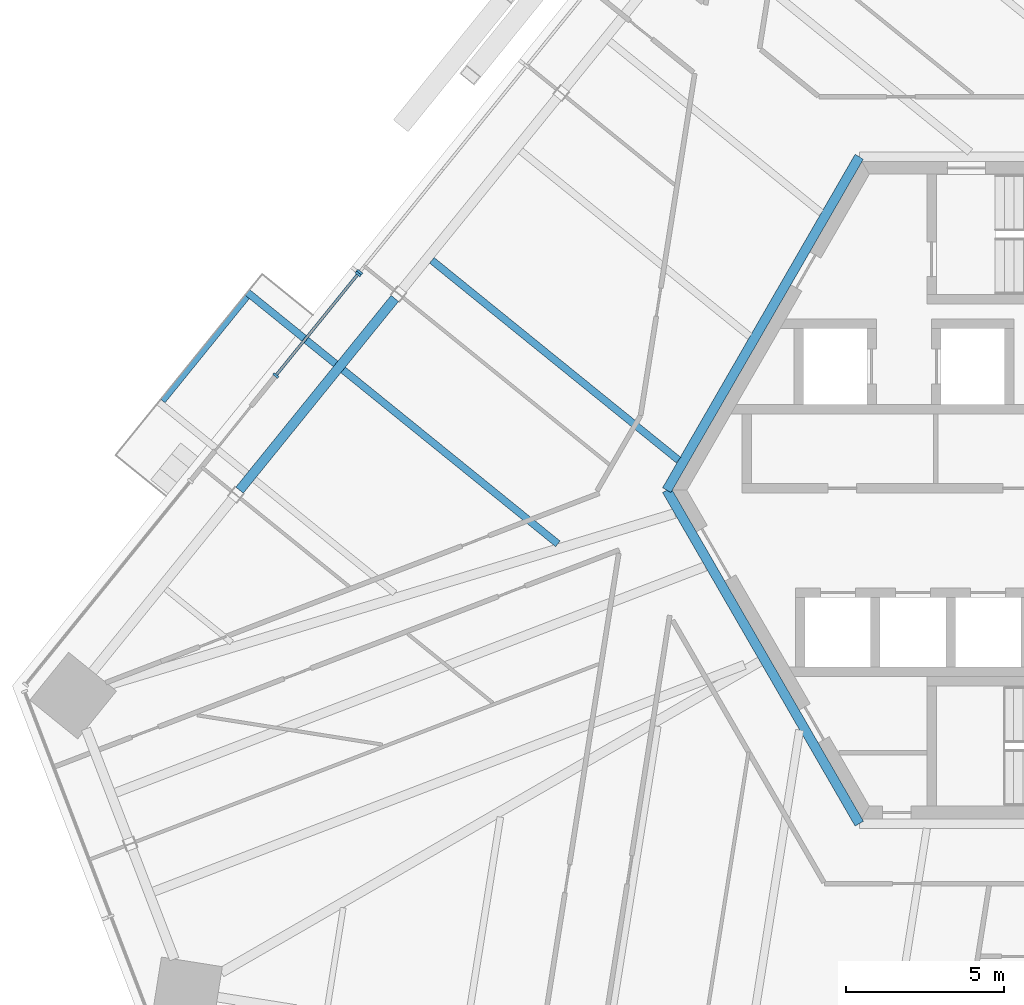
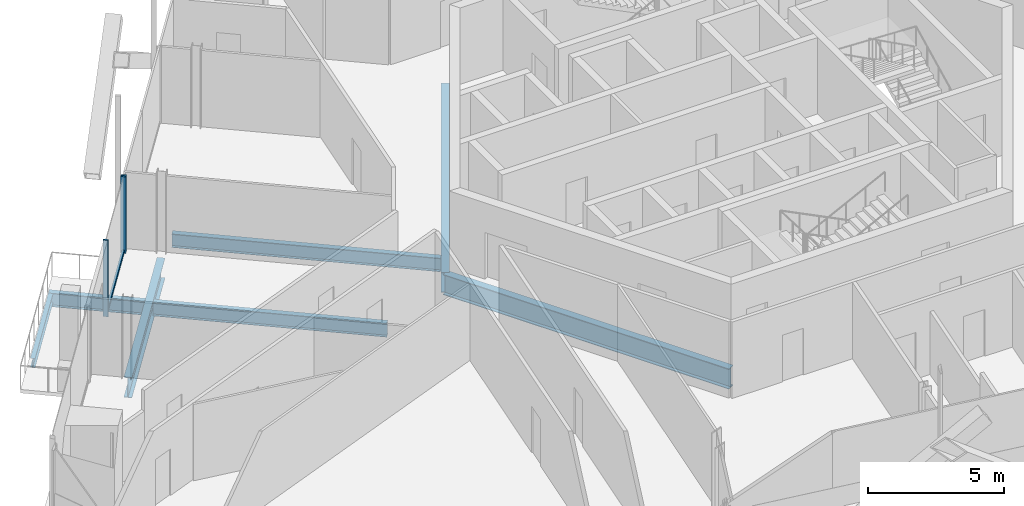
# One storey, part 5 of 22: 7 beams, 4 members, 2 elements without a shape of their own.
"""IFC4 building model written with IfcOpenShell, lengths in metres."""

import ifcopenshell
import ifcopenshell.guid

model = None  # the IFC model being written
_history = None  # IfcOwnerHistory: only IFC2X3 demands one
_inside = {}  # id of a spatial element -> (the spatial element, [elements in it])
_under = {}  # id of a project, library or spatial element -> (it, [spatial elements below it])
_declared = {}  # id of a project -> (the project, [libraries it declares])
_typed = {}  # id of a type object -> (the type object, [elements of that type])
_made_of = {}  # id of a material, layer set ... -> (it, [elements and type objects made of it])


def new_model(schema):
    """Start an empty IFC model of exactly this schema.

    Asked for "IFC4X3", IfcOpenShell would pick the latest addendum, in which some entities
    have other attributes; the version numbers below select the first issue.
    IFC2X3 requires an IfcOwnerHistory on every rooted entity: one is made here for all.
    """
    global model, _history
    if schema == "IFC4X3":
        model = ifcopenshell.file(schema_version=(4, 3, 0, 0))
    else:
        model = ifcopenshell.file(schema=schema)
    _inside.clear()
    _under.clear()
    _declared.clear()
    _typed.clear()
    _made_of.clear()
    _history = None
    if model.schema == "IFC2X3":
        org = make("IfcOrganization", Name="unknown")
        user = make(
            "IfcPersonAndOrganization",
            ThePerson=make("IfcPerson", FamilyName="unknown"),
            TheOrganization=org,
        )
        app = make(
            "IfcApplication",
            ApplicationDeveloper=org,
            Version="unknown",
            ApplicationFullName="unknown",
            ApplicationIdentifier="unknown",
        )
        _history = make(
            "IfcOwnerHistory",
            OwningUser=user,
            OwningApplication=app,
            ChangeAction="ADDED",
            CreationDate=0,
        )
    return model


def make(cls, **values):
    """One entity of the class cls with the attributes given. An attribute that is None is left unset."""
    return model.create_entity(
        cls, **{name: value for name, value in values.items() if value is not None}
    )


def rooted(cls, **values):
    """An entity with a GlobalId (a new one), such as an element, a storey or a relation."""
    return make(cls, GlobalId=ifcopenshell.guid.new(), OwnerHistory=_history, **values)


def si_unit(unit_type, name, prefix=None):
    """IfcSIUnit, for example si_unit("LENGTHUNIT", "METRE", prefix="MILLI")."""
    return make("IfcSIUnit", UnitType=unit_type, Prefix=prefix, Name=name)


def assignment(units):
    """IfcUnitAssignment: the units of a project."""
    return None if units is None else make("IfcUnitAssignment", Units=units)


def point(xyz):
    """IfcCartesianPoint."""
    return None if xyz is None else make("IfcCartesianPoint", Coordinates=xyz)


def direction(xyz):
    """IfcDirection."""
    return None if xyz is None else make("IfcDirection", DirectionRatios=xyz)


def frame(location, z_axis=None, x_axis=None):
    """IfcAxis2Placement3D, a coordinate frame: its origin and axes. An axis left out is left unset."""
    return make(
        "IfcAxis2Placement3D",
        Location=point(location),
        Axis=direction(z_axis),
        RefDirection=direction(x_axis),
    )


def frame_2d(location, x_axis=None):
    """IfcAxis2Placement2D, a coordinate frame in the plane: its origin and x axis."""
    return make(
        "IfcAxis2Placement2D", Location=point(location), RefDirection=direction(x_axis)
    )


def origin():
    """The frame at (0, 0, 0) with its axes left unset."""
    return frame((0.0, 0.0, 0.0))


def origin_2d():
    """The frame at (0, 0) in the plane with its x axis left unset."""
    return frame_2d((0.0, 0.0))


def place(relative_to, where):
    """IfcLocalPlacement: puts the frame where relative to a parent placement (None: the world)."""
    return make(
        "IfcLocalPlacement", PlacementRelTo=relative_to, RelativePlacement=where
    )


def context(
    kind, dimensions, precision=None, world=None, true_north=None, identifier=None
):
    """IfcGeometricRepresentationContext, for example the 3D "Model" context."""
    return make(
        "IfcGeometricRepresentationContext",
        ContextIdentifier=identifier,
        ContextType=kind,
        CoordinateSpaceDimension=dimensions,
        Precision=precision,
        WorldCoordinateSystem=world,
        TrueNorth=true_north,
    )


def subcontext(parent, identifier, kind, view, scale=None):
    """IfcGeometricRepresentationSubContext, for example "Body" below "Model"."""
    return make(
        "IfcGeometricRepresentationSubContext",
        ContextIdentifier=identifier,
        ContextType=kind,
        ParentContext=parent,
        TargetScale=scale,
        TargetView=view,
    )


def project(units=None, contexts=None):
    """IfcProject with its units and contexts."""
    return rooted(
        "IfcProject",
        Name="project",
        RepresentationContexts=contexts,
        UnitsInContext=assignment(units),
    )


def spatial(cls, under=None, at=None, **own):
    """A site, building, storey or space (cls), placed at a placement, below another one or the project."""
    s = rooted(cls, ObjectPlacement=at, **own)
    if under is not None:
        _under.setdefault(under.id(), (under, []))[1].append(s)
    return s


def profile(cls, at=None, kind="AREA", **sizes):
    """A parametric profile (cls). Its sizes go by their IFC names, for example OverallWidth=200.0."""
    return make(cls, ProfileType=kind, Position=at, **sizes)


def rectangle(**sizes):
    """IfcRectangleProfileDef."""
    return profile("IfcRectangleProfileDef", **sizes)


def i_section(**sizes):
    """IfcIShapeProfileDef."""
    return profile("IfcIShapeProfileDef", **sizes)


def extrude(swept, where, along, depth):
    """IfcExtrudedAreaSolid: the profile swept, set in the frame where, extruded along a direction by depth."""
    return make(
        "IfcExtrudedAreaSolid",
        SweptArea=swept,
        Position=where,
        ExtrudedDirection=direction(along),
        Depth=depth,
    )


def shape(context_of_items, identifier, shape_type, items):
    """IfcShapeRepresentation: the items that make up one representation, for example the "Body"."""
    return make(
        "IfcShapeRepresentation",
        ContextOfItems=context_of_items,
        RepresentationIdentifier=identifier,
        RepresentationType=shape_type,
        Items=items,
    )


def source(mapping_origin, context_of_items, identifier, shape_type, items):
    """IfcRepresentationMap: a shape defined once, which mapped items show again and again."""
    return make(
        "IfcRepresentationMap",
        MappingOrigin=mapping_origin,
        MappedRepresentation=shape(context_of_items, identifier, shape_type, items),
    )


def transform(
    local_origin,
    x_axis=None,
    y_axis=None,
    z_axis=None,
    scale=None,
    scale2=None,
    scale3=None,
    uniform=True,
):
    """IfcCartesianTransformationOperator3D, or its non-uniform kind. x_axis, y_axis, z_axis: its Axis1, 2, 3."""
    if uniform:
        return make(
            "IfcCartesianTransformationOperator3D",
            Axis1=direction(x_axis),
            Axis2=direction(y_axis),
            LocalOrigin=point(local_origin),
            Scale=scale,
            Axis3=direction(z_axis),
        )
    return make(
        "IfcCartesianTransformationOperator3DnonUniform",
        Axis1=direction(x_axis),
        Axis2=direction(y_axis),
        LocalOrigin=point(local_origin),
        Scale=scale,
        Axis3=direction(z_axis),
        Scale2=scale2,
        Scale3=scale3,
    )


def mapped(mapping_source, mapping_target):
    """IfcMappedItem: shows the shape of a source again, moved by a transform."""
    return make(
        "IfcMappedItem", MappingSource=mapping_source, MappingTarget=mapping_target
    )


def material(Name=None, Category=None):
    """IfcMaterial."""
    return make("IfcMaterial", Name=Name, Category=Category)


def material_profile(
    of_material, cross_section, Name=None, Category=None, Priority=None
):
    """IfcMaterialProfile: a cross section and its material."""
    return make(
        "IfcMaterialProfile",
        Name=Name,
        Material=of_material,
        Profile=cross_section,
        Priority=Priority,
        Category=Category,
    )


def profile_set(profiles, Name=None, composite=None):
    """IfcMaterialProfileSet."""
    return make(
        "IfcMaterialProfileSet",
        Name=Name,
        MaterialProfiles=profiles,
        CompositeProfile=composite,
    )


def made_of(thing, what):
    """Note that an element or type object is made of a material, layer set ...; save() writes the relation."""
    if what is not None:
        _made_of.setdefault(what.id(), (what, []))[1].append(thing)
    return thing


def type_object(cls, material=None, **own):
    """A type object (cls), such as IfcWallType, which elements share."""
    return made_of(rooted(cls, **own), material)


def element(
    cls,
    number,
    at=None,
    inside=None,
    cuts=None,
    type_object=None,
    material=None,
    context=None,
    identifier="Body",
    shape_type=None,
    held_by="IfcProductDefinitionShape",
    body=None,
    shapes=None,
    **own,
):
    """One element of the class cls, such as IfcWall. Its Tag is "e" and its number.

    at: its placement. inside: the storey or other place that contains it. cuts: it is an
    opening in that element (IfcRelVoidsElement). A single representation is given by context,
    identifier, shape_type and body (its items); several are given by shapes. held_by: the class
    of the entity that holds the representations. save() writes the other relations.
    """
    e = rooted(cls, Tag="e%d" % number, ObjectPlacement=at, **own)
    if body is not None:
        shapes = [shape(context, identifier, shape_type, body)]
    if shapes is not None:
        e.Representation = make(held_by, Representations=shapes)
    if inside is not None:
        _inside.setdefault(inside.id(), (inside, []))[1].append(e)
    if cuts is not None:
        rooted(
            "IfcRelVoidsElement", RelatingBuildingElement=cuts, RelatedOpeningElement=e
        )
    if type_object is not None:
        _typed.setdefault(type_object.id(), (type_object, []))[1].append(e)
    return made_of(e, material)


def aggregate(whole, parts):
    """IfcRelAggregates: a whole, such as a stair, and the parts it consists of."""
    return rooted("IfcRelAggregates", RelatingObject=whole, RelatedObjects=parts)


def save(model, path):
    """Write the relations noted so far, then the file.

    IfcRelAggregates (storeys below a building ...), IfcRelContainedInSpatialStructure (elements
    in a storey), IfcRelDefinesByType, IfcRelAssociatesMaterial and IfcRelDeclares: one each for
    every whole, place, type object, material and project.
    """
    for whole, parts in _under.values():
        aggregate(whole, parts)
    for where, things in _inside.values():
        rooted(
            "IfcRelContainedInSpatialStructure",
            RelatedElements=things,
            RelatingStructure=where,
        )
    for kind, things in _typed.values():
        rooted("IfcRelDefinesByType", RelatedObjects=things, RelatingType=kind)
    for what, things in _made_of.values():
        rooted("IfcRelAssociatesMaterial", RelatedObjects=things, RelatingMaterial=what)
    for by, libraries in _declared.values():
        rooted("IfcRelDeclares", RelatingContext=by, RelatedDefinitions=libraries)
    model.write(path)


model = new_model("IFC4")

# Units and contexts
model_context = context("Model", 3, precision=1e-05, world=origin(), true_north=direction((0.0, 1.0)))
body_context = subcontext(model_context, "Body", "Model", "MODEL_VIEW")
ifc_project = project(units=[si_unit("LENGTHUNIT", "METRE"), si_unit("AREAUNIT", "SQUARE_METRE"), si_unit("VOLUMEUNIT", "CUBIC_METRE"), si_unit("PLANEANGLEUNIT", "RADIAN"), si_unit("MASSUNIT", "GRAM", prefix="KILO")], contexts=[model_context])

# Site, building, storey
site_placement = place(None, origin())
site = spatial("IfcSite", under=ifc_project, at=site_placement, CompositionType="ELEMENT")
building_placement = place(site_placement, origin())
building = spatial("IfcBuilding", under=site, at=building_placement, Name="Triune Harvest Tower", CompositionType="ELEMENT")
storey_placement = place(building_placement, frame((0.0, 0.0, 153.300048828125)))
storey = spatial("IfcBuildingStorey", under=building, at=storey_placement, Name="L39", CompositionType="ELEMENT", Elevation=153.300048828125)

# Curtain wall, member
ifc_material_1 = material(Name="Aluminium bronze anodised", Category="aluminium")
curtain_wall_type_1 = type_object("IfcCurtainWallType", Name="CW-6 Balcony window wall", PredefinedType="NOTDEFINED", material=ifc_material_1)
curtain_wall_1_placement = place(storey_placement, origin())
curtain_wall_1 = element("IfcCurtainWall", 1, at=curtain_wall_1_placement, inside=storey, type_object=curtain_wall_type_1, Name="CW-6 B4-F3 L39 run 2001")
ifc_material_2 = material(Name="Aluminium bronze anodised", Category="aluminium")
ifc_material_profile_1 = material_profile(ifc_material_2, rectangle(XDim=0.090087890625, YDim=0.14990234375, at=origin_2d()), Name="TR-6 transom 90 x 150")
ifc_profile_set_1 = profile_set([ifc_material_profile_1], Name="Aluminium bronze anodised")
member_type_1 = type_object("IfcMemberType", Name="TR-6 transom 90 x 150", PredefinedType="USERDEFINED", material=ifc_profile_set_1)
member_1_placement = place(storey_placement, frame((-21.958984375, 6.8095703125, 0.074951171875), z_axis=(-0.629288150528, -0.77717206821, 0.0), x_axis=(0.77717206821, -0.629288150528, 0.0)))
member_1 = element("IfcMember", 2, at=member_1_placement, type_object=member_type_1, Name="CW-6 transom B4-F3 2001.1", ObjectType="TRANSOM", PredefinedType="USERDEFINED", context=body_context, shape_type="SweptSolid", body=[
    extrude(rectangle(XDim=0.090087890625, YDim=0.14990234375, at=origin_2d()), origin(), (0.0, 0.0, 1.0), 4.061279296875),
])

# Beams
ifc_material_3 = material(Name="Steel ASTM A992 Gr 50", Category="steel")
ifc_material_profile_2 = material_profile(ifc_material_3, i_section(OverallWidth=0.3046875, OverallDepth=0.914306640625, WebThickness=0.0166015625, FlangeThickness=0.02587890625, at=origin_2d()), Name="W36x160")
ifc_profile_set_2 = profile_set([ifc_material_profile_2], Name="Steel ASTM A992 Gr 50")
beam_type_1 = type_object("IfcBeamType", Name="CG-1 Core ring girder W36x160", PredefinedType="BEAM", material=ifc_profile_set_2)
shared_shape_1 = source(origin(), body_context, "Body", "SweptSolid", [
    extrude(i_section(OverallWidth=0.3046875, OverallDepth=0.914306640625, WebThickness=0.0166015625, FlangeThickness=0.02587890625, at=origin_2d()), origin(), (0.0, 0.0, 1.0), 12.176025390625),
])
for number, where, z_axis, x_axis, name in (
    (3, (-6.087890625, 10.544677734375, -0.6171875), (-0.5000099932, -0.866019634131, 0.0), (0.866019634131, -0.5000099932, 0.0), "beam/L39/CG3"),
    (4, (-12.176025390625, 0.0, -0.6171875), (0.5000099932, -0.866019634131, 0.0), (0.866019634131, 0.5000099932, 0.0), "beam/L39/CG4"),
):
    element("IfcBeam", number, at=place(storey_placement, frame(where, z_axis=z_axis, x_axis=x_axis)), inside=storey, type_object=beam_type_1, Name=name, PredefinedType="BEAM", context=body_context, shape_type="MappedRepresentation", body=[
        mapped(shared_shape_1, transform((0.0, 0.0, 0.0), scale=1.0)),
    ])
ifc_material_4 = material(Name="Steel ASTM A992 Gr 50", Category="steel")
ifc_material_profile_3 = material_profile(ifc_material_4, i_section(OverallWidth=0.3046875, OverallDepth=0.914306640625, WebThickness=0.0166015625, FlangeThickness=0.02587890625, at=origin_2d()), Name="W36x160")
ifc_profile_set_3 = profile_set([ifc_material_profile_3], Name="Steel ASTM A992 Gr 50")
beam_type_2 = type_object("IfcBeamType", Name="SB-1 Spandrel beam W36x160", PredefinedType="SPANDREL", material=ifc_profile_set_3)
shared_shape_2 = source(origin(), body_context, "Body", "SweptSolid", [
    extrude(i_section(OverallWidth=0.3046875, OverallDepth=0.914306640625, WebThickness=0.0166015625, FlangeThickness=0.02587890625, at=origin_2d()), origin(), (0.0, 0.0, 1.0), 7.8017578125),
])
beam_1_placement = place(storey_placement, frame((-20.775390625, 6.064208984375, -0.6171875), z_axis=(-0.629335951387, -0.777133360686, 0.0), x_axis=(0.777133360686, -0.629335951387, 0.0)))
element("IfcBeam", 5, at=beam_1_placement, inside=storey, type_object=beam_type_2, Name="beam/L39/SB13", PredefinedType="SPANDREL", context=body_context, shape_type="MappedRepresentation", body=[
    mapped(shared_shape_2, transform((0.0, 0.0, 0.0), scale=1.0)),
])
ifc_material_5 = material(Name="Steel ASTM A992 Gr 50", Category="steel")
ifc_material_profile_4 = material_profile(ifc_material_5, i_section(OverallWidth=0.22900390625, OverallDepth=0.612060546875, WebThickness=0.011962890625, FlangeThickness=0.01953125, at=origin_2d()), Name="W24x84")
ifc_profile_set_4 = profile_set([ifc_material_profile_4], Name="Steel ASTM A992 Gr 50")
beam_type_3 = type_object("IfcBeamType", Name="JT-3 Floor joist W24x84", PredefinedType="JOIST", material=ifc_profile_set_4)
shared_shape_3 = source(origin(), body_context, "Body", "SweptSolid", [
    extrude(i_section(OverallWidth=0.22900390625, OverallDepth=0.612060546875, WebThickness=0.011962890625, FlangeThickness=0.01953125, at=origin_2d()), origin(), (0.0, 0.0, 1.0), 8.738037109375),
])
beam_2_placement = place(storey_placement, frame((-22.410400390625, 3.802978515625, -0.466064453125), z_axis=(0.777147913906, -0.629317979968, 0.0), x_axis=(0.629317979968, 0.777147913906, 0.0)))
element("IfcBeam", 6, at=beam_2_placement, inside=storey, type_object=beam_type_3, Name="beam/L39/JT20", PredefinedType="JOIST", context=body_context, shape_type="MappedRepresentation", body=[
    mapped(shared_shape_3, transform((0.0, 0.0, 0.0), scale=1.0)),
])
shared_shape_4 = source(origin(), body_context, "Body", "SweptSolid", [
    extrude(i_section(OverallWidth=0.22900390625, OverallDepth=0.612060546875, WebThickness=0.011962890625, FlangeThickness=0.01953125, at=origin_2d()), origin(), (0.0, 0.0, 1.0), 10.0380859375),
])
beam_3_placement = place(storey_placement, frame((-19.60400390625, 7.268310546875, -0.466064453125), z_axis=(0.777146308943, -0.629319961941, 0.0), x_axis=(0.629319961941, 0.777146308943, 0.0)))
element("IfcBeam", 7, at=beam_3_placement, inside=storey, type_object=beam_type_3, Name="beam/L39/JT19", PredefinedType="JOIST", context=body_context, shape_type="MappedRepresentation", body=[
    mapped(shared_shape_4, transform((0.0, 0.0, 0.0), scale=1.0)),
])

# Curtain wall, member
ifc_material_6 = material(Name="Aluminium bronze anodised", Category="aluminium")
curtain_wall_type_2 = type_object("IfcCurtainWallType", Name="CW-10 Balcony window wall with insulated spandrel infill", PredefinedType="NOTDEFINED", material=ifc_material_6)
curtain_wall_2_placement = place(storey_placement, origin())
curtain_wall_2 = element("IfcCurtainWall", 8, at=curtain_wall_2_placement, inside=storey, type_object=curtain_wall_type_2, Name="CW-10 B4-F3 L39 run 1001")
ifc_material_7 = material(Name="Aluminium bronze anodised", Category="aluminium")
ifc_material_profile_5 = material_profile(ifc_material_7, rectangle(XDim=0.199951171875, YDim=0.074951171875, at=origin_2d()), Name="MU-6 mullion 75 x 200")
ifc_profile_set_5 = profile_set([ifc_material_profile_5], Name="Aluminium bronze anodised")
member_type_2 = type_object("IfcMemberType", Name="MU-6 mullion 75 x 200", PredefinedType="MULLION", material=ifc_profile_set_5)
shared_shape_5 = source(origin(), body_context, "Body", "SweptSolid", [
    extrude(rectangle(XDim=0.199951171875, YDim=0.074951171875, at=origin_2d()), origin(), (0.0, 0.0, 1.0), 3.43994140625),
])
member_2_placement = place(storey_placement, frame((-21.88818359375, 6.89697265625, 0.0), z_axis=(0.0, 0.0, 1.0), x_axis=(0.777144767109, -0.629321865944, 0.0)))
member_2 = element("IfcMember", 9, at=member_2_placement, type_object=member_type_2, Name="CW-10 mullion B4-F3 1001.5", PredefinedType="MULLION", context=body_context, shape_type="MappedRepresentation", body=[
    mapped(shared_shape_5, transform((0.0, 0.0, 0.0), scale=1.0)),
])
aggregate(curtain_wall_2, [member_2])

# Member
member_3_placement = place(storey_placement, frame((-21.935302734375, 6.838623046875, 0.0), z_axis=(0.0, 0.0, 1.0), x_axis=(0.777149469434, -0.629316059034, 0.0)))
member_3 = element("IfcMember", 10, at=member_3_placement, type_object=member_type_2, Name="CW-6 mullion B4-F3 2001.1", PredefinedType="MULLION", context=body_context, shape_type="MappedRepresentation", body=[
    mapped(shared_shape_5, transform((0.0, 0.0, 0.0), scale=1.0)),
])

member_4_placement = place(storey_placement, frame((-24.538330078125, 3.624267578125, 0.0), z_axis=(0.0, 0.0, 1.0), x_axis=(0.777149469434, -0.629316059034, 0.0)))
member_4 = element("IfcMember", 11, at=member_4_placement, type_object=member_type_2, Name="CW-6 mullion B4-F3 2001.2", PredefinedType="MULLION", context=body_context, shape_type="MappedRepresentation", body=[
    mapped(shared_shape_5, transform((0.0, 0.0, 0.0), scale=1.0)),
])

aggregate(curtain_wall_1, [member_3, member_4, member_1])

# Beams
ifc_material_8 = material(Name="Steel ASTM A992 Gr 50", Category="steel")
ifc_material_profile_6 = material_profile(ifc_material_8, i_section(OverallWidth=0.22900390625, OverallDepth=0.612060546875, WebThickness=0.011962890625, FlangeThickness=0.01953125, at=origin_2d()), Name="W24x84")
ifc_profile_set_6 = profile_set([ifc_material_profile_6], Name="Steel ASTM A992 Gr 50")
beam_type_4 = type_object("IfcBeamType", Name="BJ-3 Balcony cantilever joist W24x84", PredefinedType="JOIST", material=ifc_profile_set_6)
shared_shape_6 = source(origin(), body_context, "Body", "SweptSolid", [
    extrude(i_section(OverallWidth=0.22900390625, OverallDepth=0.612060546875, WebThickness=0.011962890625, FlangeThickness=0.01953125, at=origin_2d()), origin(), (0.0, 0.0, 1.0), 3.59765625),
])
beam_4_placement = place(storey_placement, frame((-22.647216796875, 3.994873046875, -0.466064453125), z_axis=(-0.777134237383, 0.629334868799, 0.0), x_axis=(-0.629334868799, -0.777134237383, 0.0)))
element("IfcBeam", 12, at=beam_4_placement, inside=storey, type_object=beam_type_4, Name="Balcony cantilever joist B4-F3 L39.10b", PredefinedType="JOIST", context=body_context, shape_type="MappedRepresentation", body=[
    mapped(shared_shape_6, transform((0.0, 0.0, 0.0), scale=1.0)),
])
ifc_material_9 = material(Name="Steel ASTM A992 Gr 50", Category="steel")
ifc_material_profile_7 = material_profile(ifc_material_9, i_section(OverallWidth=0.180908203125, OverallDepth=0.41650390625, WebThickness=0.010986328125, FlangeThickness=0.01806640625, at=origin_2d()), Name="W16x57")
ifc_profile_set_7 = profile_set([ifc_material_profile_7], Name="Steel ASTM A992 Gr 50")
beam_type_5 = type_object("IfcBeamType", Name="BE-1 balcony edge beam W16x57", PredefinedType="BEAM", material=ifc_profile_set_7)
shared_shape_7 = source(origin(), body_context, "Body", "SweptSolid", [
    extrude(i_section(OverallWidth=0.180908203125, OverallDepth=0.41650390625, WebThickness=0.010986328125, FlangeThickness=0.01806640625, at=origin_2d()), origin(), (0.0, 0.0, 1.0), 4.239501953125),
])
beam_5_placement = place(storey_placement, frame((-28.113037109375, 2.818359375, -0.368408203125), z_axis=(0.62931915537, 0.777146962089, 0.0), x_axis=(-0.777146962089, 0.62931915537, 0.0)))
element("IfcBeam", 13, at=beam_5_placement, inside=storey, type_object=beam_type_5, Name="Balcony edge beam B4-F3 L39.10", PredefinedType="BEAM", context=body_context, shape_type="MappedRepresentation", body=[
    mapped(shared_shape_7, transform((0.0, 0.0, 0.0), scale=1.0)),
])

save(model, "model.ifc")
